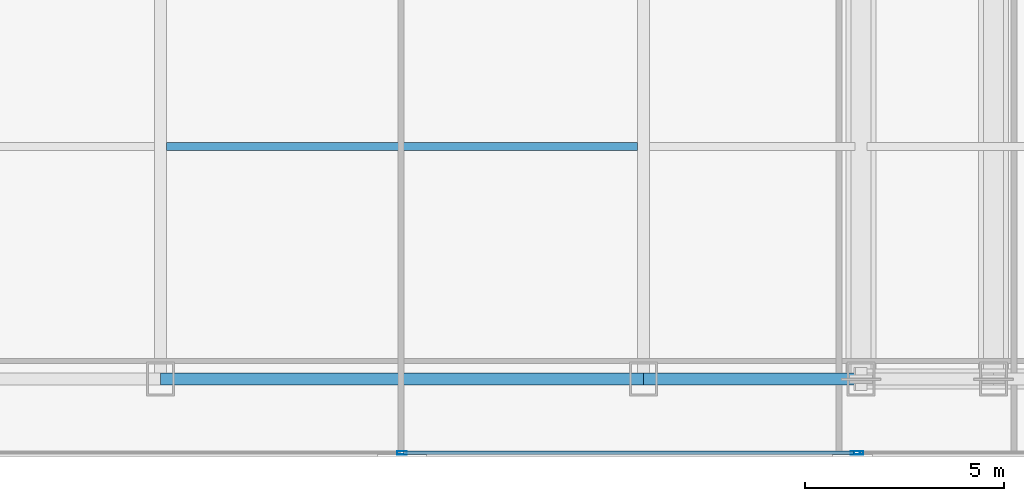
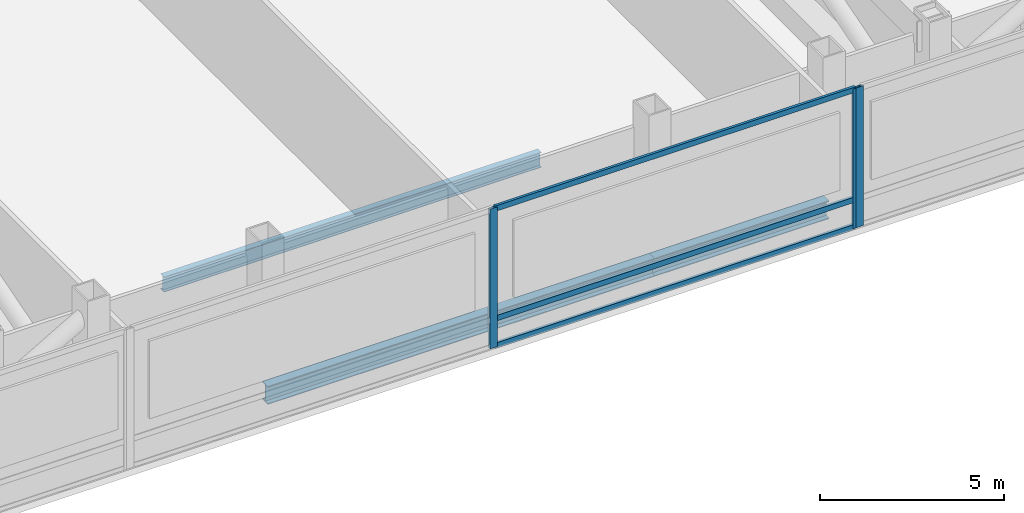
# One storey, part 13 of 30: 6 members, 3 beams, 2 elements without a shape of their own.
"""IFC4 building model written with IfcOpenShell, lengths in metres."""

import ifcopenshell
import ifcopenshell.guid

model = None  # the IFC model being written
_history = None  # IfcOwnerHistory: only IFC2X3 demands one
_inside = {}  # id of a spatial element -> (the spatial element, [elements in it])
_under = {}  # id of a project, library or spatial element -> (it, [spatial elements below it])
_declared = {}  # id of a project -> (the project, [libraries it declares])
_typed = {}  # id of a type object -> (the type object, [elements of that type])
_made_of = {}  # id of a material, layer set ... -> (it, [elements and type objects made of it])


def new_model(schema):
    """Start an empty IFC model of exactly this schema.

    Asked for "IFC4X3", IfcOpenShell would pick the latest addendum, in which some entities
    have other attributes; the version numbers below select the first issue.
    IFC2X3 requires an IfcOwnerHistory on every rooted entity: one is made here for all.
    """
    global model, _history
    if schema == "IFC4X3":
        model = ifcopenshell.file(schema_version=(4, 3, 0, 0))
    else:
        model = ifcopenshell.file(schema=schema)
    _inside.clear()
    _under.clear()
    _declared.clear()
    _typed.clear()
    _made_of.clear()
    _history = None
    if model.schema == "IFC2X3":
        org = make("IfcOrganization", Name="unknown")
        user = make(
            "IfcPersonAndOrganization",
            ThePerson=make("IfcPerson", FamilyName="unknown"),
            TheOrganization=org,
        )
        app = make(
            "IfcApplication",
            ApplicationDeveloper=org,
            Version="unknown",
            ApplicationFullName="unknown",
            ApplicationIdentifier="unknown",
        )
        _history = make(
            "IfcOwnerHistory",
            OwningUser=user,
            OwningApplication=app,
            ChangeAction="ADDED",
            CreationDate=0,
        )
    return model


def make(cls, **values):
    """One entity of the class cls with the attributes given. An attribute that is None is left unset."""
    return model.create_entity(
        cls, **{name: value for name, value in values.items() if value is not None}
    )


def rooted(cls, **values):
    """An entity with a GlobalId (a new one), such as an element, a storey or a relation."""
    return make(cls, GlobalId=ifcopenshell.guid.new(), OwnerHistory=_history, **values)


def si_unit(unit_type, name, prefix=None):
    """IfcSIUnit, for example si_unit("LENGTHUNIT", "METRE", prefix="MILLI")."""
    return make("IfcSIUnit", UnitType=unit_type, Prefix=prefix, Name=name)


def assignment(units):
    """IfcUnitAssignment: the units of a project."""
    return None if units is None else make("IfcUnitAssignment", Units=units)


def point(xyz):
    """IfcCartesianPoint."""
    return None if xyz is None else make("IfcCartesianPoint", Coordinates=xyz)


def direction(xyz):
    """IfcDirection."""
    return None if xyz is None else make("IfcDirection", DirectionRatios=xyz)


def frame(location, z_axis=None, x_axis=None):
    """IfcAxis2Placement3D, a coordinate frame: its origin and axes. An axis left out is left unset."""
    return make(
        "IfcAxis2Placement3D",
        Location=point(location),
        Axis=direction(z_axis),
        RefDirection=direction(x_axis),
    )


def frame_2d(location, x_axis=None):
    """IfcAxis2Placement2D, a coordinate frame in the plane: its origin and x axis."""
    return make(
        "IfcAxis2Placement2D", Location=point(location), RefDirection=direction(x_axis)
    )


def origin():
    """The frame at (0, 0, 0) with its axes left unset."""
    return frame((0.0, 0.0, 0.0))


def origin_2d():
    """The frame at (0, 0) in the plane with its x axis left unset."""
    return frame_2d((0.0, 0.0))


def place(relative_to, where):
    """IfcLocalPlacement: puts the frame where relative to a parent placement (None: the world)."""
    return make(
        "IfcLocalPlacement", PlacementRelTo=relative_to, RelativePlacement=where
    )


def context(
    kind, dimensions, precision=None, world=None, true_north=None, identifier=None
):
    """IfcGeometricRepresentationContext, for example the 3D "Model" context."""
    return make(
        "IfcGeometricRepresentationContext",
        ContextIdentifier=identifier,
        ContextType=kind,
        CoordinateSpaceDimension=dimensions,
        Precision=precision,
        WorldCoordinateSystem=world,
        TrueNorth=true_north,
    )


def subcontext(parent, identifier, kind, view, scale=None):
    """IfcGeometricRepresentationSubContext, for example "Body" below "Model"."""
    return make(
        "IfcGeometricRepresentationSubContext",
        ContextIdentifier=identifier,
        ContextType=kind,
        ParentContext=parent,
        TargetScale=scale,
        TargetView=view,
    )


def project(units=None, contexts=None):
    """IfcProject with its units and contexts."""
    return rooted(
        "IfcProject",
        Name="project",
        RepresentationContexts=contexts,
        UnitsInContext=assignment(units),
    )


def spatial(cls, under=None, at=None, **own):
    """A site, building, storey or space (cls), placed at a placement, below another one or the project."""
    s = rooted(cls, ObjectPlacement=at, **own)
    if under is not None:
        _under.setdefault(under.id(), (under, []))[1].append(s)
    return s


def profile(cls, at=None, kind="AREA", **sizes):
    """A parametric profile (cls). Its sizes go by their IFC names, for example OverallWidth=200.0."""
    return make(cls, ProfileType=kind, Position=at, **sizes)


def hollow_rectangle(**sizes):
    """IfcRectangleHollowProfileDef."""
    return profile("IfcRectangleHollowProfileDef", **sizes)


def i_section(**sizes):
    """IfcIShapeProfileDef."""
    return profile("IfcIShapeProfileDef", **sizes)


def extrude(swept, where, along, depth):
    """IfcExtrudedAreaSolid: the profile swept, set in the frame where, extruded along a direction by depth."""
    return make(
        "IfcExtrudedAreaSolid",
        SweptArea=swept,
        Position=where,
        ExtrudedDirection=direction(along),
        Depth=depth,
    )


def shape(context_of_items, identifier, shape_type, items):
    """IfcShapeRepresentation: the items that make up one representation, for example the "Body"."""
    return make(
        "IfcShapeRepresentation",
        ContextOfItems=context_of_items,
        RepresentationIdentifier=identifier,
        RepresentationType=shape_type,
        Items=items,
    )


def material(Name=None, Category=None):
    """IfcMaterial."""
    return make("IfcMaterial", Name=Name, Category=Category)


def material_profile(
    of_material, cross_section, Name=None, Category=None, Priority=None
):
    """IfcMaterialProfile: a cross section and its material."""
    return make(
        "IfcMaterialProfile",
        Name=Name,
        Material=of_material,
        Profile=cross_section,
        Priority=Priority,
        Category=Category,
    )


def profile_set(profiles, Name=None, composite=None):
    """IfcMaterialProfileSet."""
    return make(
        "IfcMaterialProfileSet",
        Name=Name,
        MaterialProfiles=profiles,
        CompositeProfile=composite,
    )


def made_of(thing, what):
    """Note that an element or type object is made of a material, layer set ...; save() writes the relation."""
    if what is not None:
        _made_of.setdefault(what.id(), (what, []))[1].append(thing)
    return thing


def type_object(cls, material=None, **own):
    """A type object (cls), such as IfcWallType, which elements share."""
    return made_of(rooted(cls, **own), material)


def element(
    cls,
    number,
    at=None,
    inside=None,
    cuts=None,
    type_object=None,
    material=None,
    context=None,
    identifier="Body",
    shape_type=None,
    held_by="IfcProductDefinitionShape",
    body=None,
    shapes=None,
    **own,
):
    """One element of the class cls, such as IfcWall. Its Tag is "e" and its number.

    at: its placement. inside: the storey or other place that contains it. cuts: it is an
    opening in that element (IfcRelVoidsElement). A single representation is given by context,
    identifier, shape_type and body (its items); several are given by shapes. held_by: the class
    of the entity that holds the representations. save() writes the other relations.
    """
    e = rooted(cls, Tag="e%d" % number, ObjectPlacement=at, **own)
    if body is not None:
        shapes = [shape(context, identifier, shape_type, body)]
    if shapes is not None:
        e.Representation = make(held_by, Representations=shapes)
    if inside is not None:
        _inside.setdefault(inside.id(), (inside, []))[1].append(e)
    if cuts is not None:
        rooted(
            "IfcRelVoidsElement", RelatingBuildingElement=cuts, RelatedOpeningElement=e
        )
    if type_object is not None:
        _typed.setdefault(type_object.id(), (type_object, []))[1].append(e)
    return made_of(e, material)


def aggregate(whole, parts):
    """IfcRelAggregates: a whole, such as a stair, and the parts it consists of."""
    return rooted("IfcRelAggregates", RelatingObject=whole, RelatedObjects=parts)


def save(model, path):
    """Write the relations noted so far, then the file.

    IfcRelAggregates (storeys below a building ...), IfcRelContainedInSpatialStructure (elements
    in a storey), IfcRelDefinesByType, IfcRelAssociatesMaterial and IfcRelDeclares: one each for
    every whole, place, type object, material and project.
    """
    for whole, parts in _under.values():
        aggregate(whole, parts)
    for where, things in _inside.values():
        rooted(
            "IfcRelContainedInSpatialStructure",
            RelatedElements=things,
            RelatingStructure=where,
        )
    for kind, things in _typed.values():
        rooted("IfcRelDefinesByType", RelatedObjects=things, RelatingType=kind)
    for what, things in _made_of.values():
        rooted("IfcRelAssociatesMaterial", RelatedObjects=things, RelatingMaterial=what)
    for by, libraries in _declared.values():
        rooted("IfcRelDeclares", RelatingContext=by, RelatedDefinitions=libraries)
    model.write(path)


model = new_model("IFC4")

# Units and contexts
model_context = context("Model", 3, precision=1e-05, world=origin(), true_north=direction((0.0, 1.0)))
body_context = subcontext(model_context, "Body", "Model", "MODEL_VIEW")
ifc_project = project(units=[si_unit("LENGTHUNIT", "METRE"), si_unit("AREAUNIT", "SQUARE_METRE"), si_unit("VOLUMEUNIT", "CUBIC_METRE"), si_unit("PLANEANGLEUNIT", "RADIAN"), si_unit("MASSUNIT", "GRAM", prefix="KILO")], contexts=[model_context])

# Site, building, storey
site_placement = place(None, origin())
site = spatial("IfcSite", under=ifc_project, at=site_placement, CompositionType="ELEMENT")
building_placement = place(site_placement, origin())
building = spatial("IfcBuilding", under=site, at=building_placement, Name="Khoronbel Lancet Exchange", CompositionType="ELEMENT")
storey_placement = place(building_placement, frame((0.0, 0.0, 172.199951171875)))
storey = spatial("IfcBuildingStorey", under=building, at=storey_placement, Name="L43", CompositionType="ELEMENT", Elevation=172.199951171875)

# Beams
ifc_material_1 = material(Name="Steel S355", Category="steel")
ifc_material_profile_1 = material_profile(ifc_material_1, i_section(OverallWidth=0.199951171875, OverallDepth=0.5, WebThickness=0.01025390625, FlangeThickness=0.01611328125, at=origin_2d()), Name="IPE 500")
ifc_profile_set_1 = profile_set([ifc_material_profile_1], Name="Steel S355")
beam_type_1 = type_object("IfcBeamType", Name="BM-BJ3", PredefinedType="JOIST", material=ifc_profile_set_1)
beam_1_placement = place(storey_placement, frame((30.52490234375, 16.0, -0.469970703125), z_axis=(1.0, 0.0, 0.0), x_axis=(0.0, 1.0, 0.0)))
element("IfcBeam", 1, at=beam_1_placement, inside=storey, type_object=beam_type_1, Name="Level L43 secondary composite joist J03", PredefinedType="JOIST", context=body_context, shape_type="SweptSolid", body=[
    extrude(i_section(OverallWidth=0.199951171875, OverallDepth=0.5, WebThickness=0.01025390625, FlangeThickness=0.01611328125, at=origin_2d()), origin(), (0.0, 0.0, 1.0), 11.85009765625),
])
ifc_material_profile_2 = material_profile(ifc_material_1, i_section(OverallWidth=0.300048828125, OverallDepth=0.60009765625, WebThickness=0.015380859375, FlangeThickness=0.030029296875, at=origin_2d()), Name="HEB 600")
ifc_profile_set_2 = profile_set([ifc_material_profile_2], Name="Steel S355")
beam_type_2 = type_object("IfcBeamType", Name="BM-BSP2", PredefinedType="SPANDREL", material=ifc_profile_set_2)
beam_2_placement = place(storey_placement, frame((30.375, 10.14990234375, -0.52001953125), z_axis=(1.0, 0.0, 0.0), x_axis=(0.0, 1.0, 0.0)))
element("IfcBeam", 2, at=beam_2_placement, inside=storey, type_object=beam_type_2, Name="Level L43 perimeter spandrel beam SP05", PredefinedType="SPANDREL", context=body_context, shape_type="SweptSolid", body=[
    extrude(i_section(OverallWidth=0.300048828125, OverallDepth=0.60009765625, WebThickness=0.015380859375, FlangeThickness=0.030029296875, at=origin_2d()), origin(), (0.0, 0.0, 1.0), 12.14990234375),
])
beam_3_placement = place(storey_placement, frame((42.52490234375, 10.14990234375, -0.52001953125), z_axis=(1.0, 0.0, 0.0), x_axis=(0.0, 1.0, 0.0)))
element("IfcBeam", 3, at=beam_3_placement, inside=storey, type_object=beam_type_2, Name="Level L43 perimeter spandrel beam SP06", PredefinedType="SPANDREL", context=body_context, shape_type="SweptSolid", body=[
    extrude(i_section(OverallWidth=0.300048828125, OverallDepth=0.60009765625, WebThickness=0.015380859375, FlangeThickness=0.030029296875, at=origin_2d()), origin(), (0.0, 0.0, 1.0), 5.47509765625),
])

# Curtain wall, members
ifc_material_2 = material(Name="Low-E Solar Control Insulating Glass", Category="glass")
curtain_wall_type = type_object("IfcCurtainWallType", Name="CW-3", PredefinedType="NOTDEFINED", material=ifc_material_2)
curtain_wall_1_placement = place(storey_placement, origin())
curtain_wall_1 = element("IfcCurtainWall", 4, at=curtain_wall_1_placement, inside=storey, type_object=curtain_wall_type, Name="Unitised curtain wall CW-L43-SCV", PredefinedType="NOTDEFINED")
ifc_material_3 = material(Name="Bronze-Anodised Aluminium 6063-T6", Category="aluminium")
ifc_material_profile_3 = material_profile(ifc_material_3, hollow_rectangle(XDim=0.0849609375, YDim=0.239990234375, WallThickness=0.006103515625, at=origin_2d()), Name="ALU MULLION 85x240")
ifc_profile_set_3 = profile_set([ifc_material_profile_3], Name="Bronze-Anodised Aluminium 6063-T6")
member_type_1 = type_object("IfcMemberType", Name="MEM-CWM1", PredefinedType="MULLION", material=ifc_profile_set_3)
member_1_placement = place(storey_placement, frame((36.449951171875, 8.2900390625, 0.0), z_axis=(0.0, 0.0, 1.0), x_axis=(0.0, 1.0, 0.0)))
member_1 = element("IfcMember", 5, at=member_1_placement, type_object=member_type_1, Name="CW3 mullion 2", PredefinedType="MULLION", context=body_context, shape_type="SweptSolid", body=[
    extrude(hollow_rectangle(XDim=0.0849609375, YDim=0.239990234375, WallThickness=0.006103515625, at=origin_2d()), origin(), (0.0, 0.0, 1.0), 4.64013671875),
])
member_2_placement = place(storey_placement, frame((47.857421875, 8.2900390625, 0.0), z_axis=(0.0, 0.0, 1.0), x_axis=(0.0, 1.0, 0.0)))
member_2 = element("IfcMember", 6, at=member_2_placement, type_object=member_type_1, Name="CW3 mullion 3", PredefinedType="MULLION", context=body_context, shape_type="SweptSolid", body=[
    extrude(hollow_rectangle(XDim=0.0849609375, YDim=0.239990234375, WallThickness=0.006103515625, at=origin_2d()), origin(), (0.0, 0.0, 1.0), 4.64013671875),
])

# Curtain wall, member
curtain_wall_2_placement = place(storey_placement, origin())
curtain_wall_2 = element("IfcCurtainWall", 7, at=curtain_wall_2_placement, inside=storey, type_object=curtain_wall_type, Name="Unitised curtain wall CW-L43-SEB", PredefinedType="NOTDEFINED")
member_3_placement = place(storey_placement, frame((47.9423828125, 8.2900390625, 0.0), z_axis=(0.0, 0.0, 1.0), x_axis=(0.0, 1.0, 0.0)))
member_3 = element("IfcMember", 8, at=member_3_placement, type_object=member_type_1, Name="CW3 mullion 1", PredefinedType="MULLION", context=body_context, shape_type="SweptSolid", body=[
    extrude(hollow_rectangle(XDim=0.0849609375, YDim=0.239990234375, WallThickness=0.006103515625, at=origin_2d()), origin(), (0.0, 0.0, 1.0), 4.64013671875),
])
aggregate(curtain_wall_2, [member_3])

# Member
ifc_material_profile_4 = material_profile(ifc_material_3, hollow_rectangle(XDim=0.0849609375, YDim=0.179931640625, WallThickness=0.0048828125, at=origin_2d()), Name="ALU TRANSOM 85x180")
ifc_profile_set_4 = profile_set([ifc_material_profile_4], Name="Bronze-Anodised Aluminium 6063-T6")
member_type_2 = type_object("IfcMemberType", Name="MEM-CWT1", PredefinedType="USERDEFINED", material=ifc_profile_set_4)
member_4_placement = place(storey_placement, frame((36.492431640625, 8.2900390625, 0.04248046875), z_axis=(1.0, 0.0, 0.0), x_axis=(0.0, 1.0, 0.0)))
member_4 = element("IfcMember", 9, at=member_4_placement, type_object=member_type_2, Name="CW3 transom 2.1", ObjectType="TRANSOM", PredefinedType="USERDEFINED", context=body_context, shape_type="SweptSolid", body=[
    extrude(hollow_rectangle(XDim=0.0849609375, YDim=0.179931640625, WallThickness=0.0048828125, at=origin_2d()), origin(), (0.0, 0.0, 1.0), 11.322509765625),
])

member_5_placement = place(storey_placement, frame((36.492431640625, 8.2900390625, 0.949951171875), z_axis=(1.0, 0.0, 0.0), x_axis=(0.0, 1.0, 0.0)))
member_5 = element("IfcMember", 10, at=member_5_placement, type_object=member_type_2, Name="CW3 transom 2.2", ObjectType="TRANSOM", PredefinedType="USERDEFINED", context=body_context, shape_type="SweptSolid", body=[
    extrude(hollow_rectangle(XDim=0.0849609375, YDim=0.179931640625, WallThickness=0.0048828125, at=origin_2d()), origin(), (0.0, 0.0, 1.0), 11.322509765625),
])

member_6_placement = place(storey_placement, frame((36.492431640625, 8.2900390625, 4.59765625), z_axis=(1.0, 0.0, 0.0), x_axis=(0.0, 1.0, 0.0)))
member_6 = element("IfcMember", 11, at=member_6_placement, type_object=member_type_2, Name="CW3 transom 2.3", ObjectType="TRANSOM", PredefinedType="USERDEFINED", context=body_context, shape_type="SweptSolid", body=[
    extrude(hollow_rectangle(XDim=0.0849609375, YDim=0.179931640625, WallThickness=0.0048828125, at=origin_2d()), origin(), (0.0, 0.0, 1.0), 11.322509765625),
])

aggregate(curtain_wall_1, [member_1, member_2, member_4, member_5, member_6])

save(model, "model.ifc")
